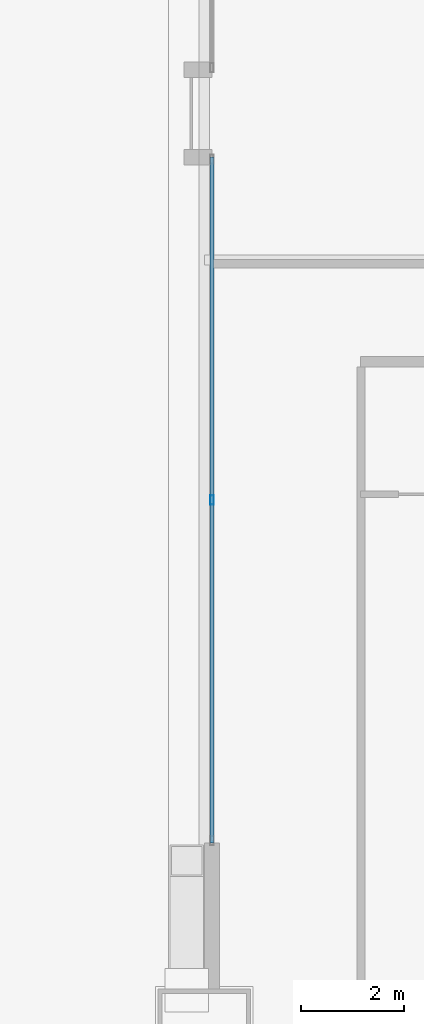
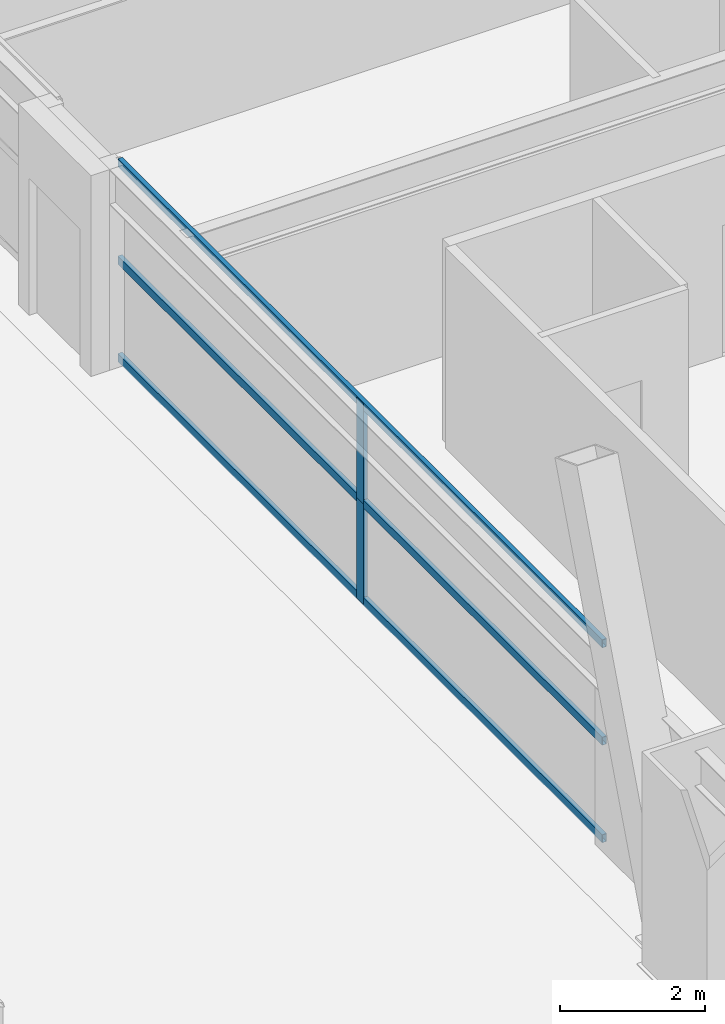
# One storey, part 5 of 45: 5 members, 1 element without a shape of its own.
"""IFC4 building model written with IfcOpenShell, lengths in metres."""

from ifc_helpers import new_model, si_unit, direction, frame, origin, origin_2d, place, context, subcontext, project, spatial, hollow_rectangle, extrude, source, transform, mapped, material, layer, layer_set, material_profile, profile_set, type_object, element, aggregate, save


model = new_model("IFC4")

# Units and contexts
model_context = context("Model", 3, precision=1e-05, world=origin(), true_north=direction((0.0, 1.0)))
body_context = subcontext(model_context, "Body", "Model", "MODEL_VIEW")
ifc_project = project(units=[si_unit("LENGTHUNIT", "METRE"), si_unit("AREAUNIT", "SQUARE_METRE"), si_unit("VOLUMEUNIT", "CUBIC_METRE"), si_unit("PLANEANGLEUNIT", "RADIAN"), si_unit("MASSUNIT", "GRAM", prefix="KILO"), si_unit("THERMODYNAMICTEMPERATUREUNIT", "KELVIN"), si_unit("POWERUNIT", "WATT")], contexts=[model_context])

# Site, building, storey
site_placement = place(None, origin())
site = spatial("IfcSite", under=ifc_project, at=site_placement, CompositionType="ELEMENT")
building_placement = place(site_placement, origin())
building = spatial("IfcBuilding", under=site, at=building_placement, Name="Yuzanri Waterfront Tower", CompositionType="ELEMENT")
storey_placement = place(building_placement, frame((0.0, 0.0, 30.60009765625)))
storey = spatial("IfcBuildingStorey", under=building, at=storey_placement, Name="L07", CompositionType="ELEMENT", Elevation=30.60009765625)

# Curtain wall, members
ifc_material_1 = material(Name="Anodized Architectural Bronze", Category="metal")
ifc_layer = layer(ifc_material_1, 0.159912109375)
ifc_layer_set = layer_set([ifc_layer], Name="Anodized Architectural Bronze")
curtain_wall_type = type_object("IfcCurtainWallType", Name="Anodized Bronze Hotel Lower-Tier Recessed Unitized Curtain Wall 8100", PredefinedType="NOTDEFINED", material=ifc_layer_set)
curtain_wall_placement = place(storey_placement, origin())
curtain_wall = element("IfcCurtainWall", 1, at=curtain_wall_placement, inside=storey, type_object=curtain_wall_type, Name="L07 Curtain Wall CW-L07-WL1", PredefinedType="NOTDEFINED")
ifc_material_2 = material(Name="Anodized Architectural Bronze", Category="metal")
ifc_material_profile_1 = material_profile(ifc_material_2, hollow_rectangle(XDim=0.070068359375, YDim=0.179931640625, WallThickness=0.00390625, at=origin_2d()), Name="CWM 70x180")
ifc_profile_set_1 = profile_set([ifc_material_profile_1], Name="Anodized Architectural Bronze")
member_type_1 = type_object("IfcMemberType", Name="Anodized Bronze Standard Curtain-Wall Mullion 70x180", PredefinedType="MULLION", material=ifc_profile_set_1)
shared_shape_1 = source(origin(), body_context, "Body", "SweptSolid", [
    extrude(hollow_rectangle(XDim=0.070068359375, YDim=0.179931640625, WallThickness=0.00390625, at=origin_2d()), origin(), (0.0, 0.0, 1.0), 1.68798828125),
])
member_1_placement = place(storey_placement, frame((12.050048828125, 14.7275390625, 0.0), z_axis=(0.0, 0.0, 1.0), x_axis=(1.0, 0.0, 0.0)))
member_1 = element("IfcMember", 2, at=member_1_placement, type_object=member_type_1, Name="CW-L07-WL1 Lower Mullion 01", PredefinedType="MULLION", context=body_context, shape_type="MappedRepresentation", body=[
    mapped(shared_shape_1, transform((0.0, 0.0, 0.0), scale=1.0)),
])
member_2_placement = place(storey_placement, frame((12.050048828125, 14.7275390625, 1.69189453125), z_axis=(0.0, 0.0, 1.0), x_axis=(1.0, 0.0, 0.0)))
member_2 = element("IfcMember", 3, at=member_2_placement, type_object=member_type_1, Name="CW-L07-WL1 Upper Mullion 01", PredefinedType="MULLION", context=body_context, shape_type="MappedRepresentation", body=[
    mapped(shared_shape_1, transform((0.0, 0.0, 0.0), scale=1.0)),
])
ifc_material_3 = material(Name="Anodized Architectural Bronze", Category="metal")
ifc_material_profile_2 = material_profile(ifc_material_3, hollow_rectangle(XDim=0.070068359375, YDim=0.135009765625, WallThickness=0.00341796875, at=origin_2d()), Name="CWT 70x135")
ifc_profile_set_2 = profile_set([ifc_material_profile_2], Name="Anodized Architectural Bronze")
member_type_2 = type_object("IfcMemberType", Name="Anodized Bronze Standard Curtain-Wall Transom 70x135", PredefinedType="USERDEFINED", material=ifc_profile_set_2)
shared_shape_2 = source(origin(), body_context, "Body", "SweptSolid", [
    extrude(hollow_rectangle(XDim=0.070068359375, YDim=0.135009765625, WallThickness=0.00341796875, at=origin_2d()), origin(), (0.0, 0.0, 1.0), 13.35498046875),
])
member_3_placement = place(storey_placement, frame((12.050048828125, 8.050048828125, 0.0498046875), z_axis=(0.0, 1.0, 0.0), x_axis=(-1.0, 0.0, 0.0)))
member_3 = element("IfcMember", 4, at=member_3_placement, type_object=member_type_2, Name="CW-L07-WL1 Transom 1", ObjectType="TRANSOM", PredefinedType="USERDEFINED", context=body_context, shape_type="MappedRepresentation", body=[
    mapped(shared_shape_2, transform((0.0, 0.0, 0.0), scale=1.0)),
])
member_4_placement = place(storey_placement, frame((12.050048828125, 8.050048828125, 1.68994140625), z_axis=(0.0, 1.0, 0.0), x_axis=(-1.0, 0.0, 0.0)))
member_4 = element("IfcMember", 5, at=member_4_placement, type_object=member_type_2, Name="CW-L07-WL1 Transom 2", ObjectType="TRANSOM", PredefinedType="USERDEFINED", context=body_context, shape_type="MappedRepresentation", body=[
    mapped(shared_shape_2, transform((0.0, 0.0, 0.0), scale=1.0)),
])
member_5_placement = place(storey_placement, frame((12.050048828125, 8.050048828125, 3.329833984375), z_axis=(0.0, 1.0, 0.0), x_axis=(-1.0, 0.0, 0.0)))
member_5 = element("IfcMember", 6, at=member_5_placement, type_object=member_type_2, Name="CW-L07-WL1 Transom 3", ObjectType="TRANSOM", PredefinedType="USERDEFINED", context=body_context, shape_type="MappedRepresentation", body=[
    mapped(shared_shape_2, transform((0.0, 0.0, 0.0), scale=1.0)),
])
aggregate(curtain_wall, [member_1, member_2, member_3, member_4, member_5])

save(model, "model.ifc")
